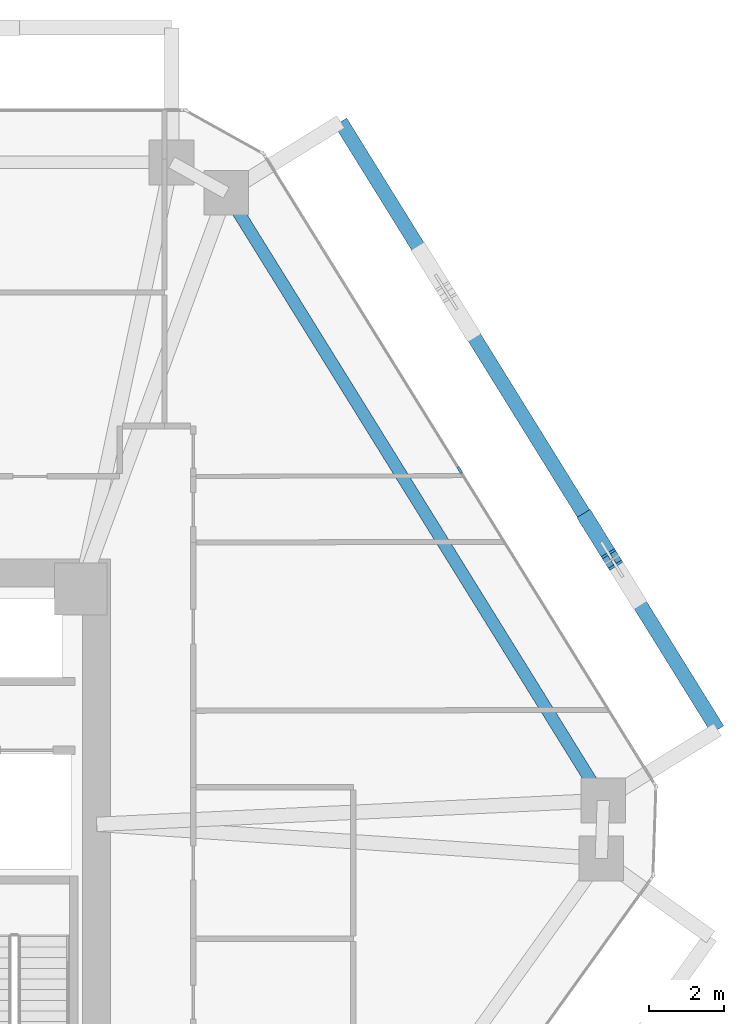
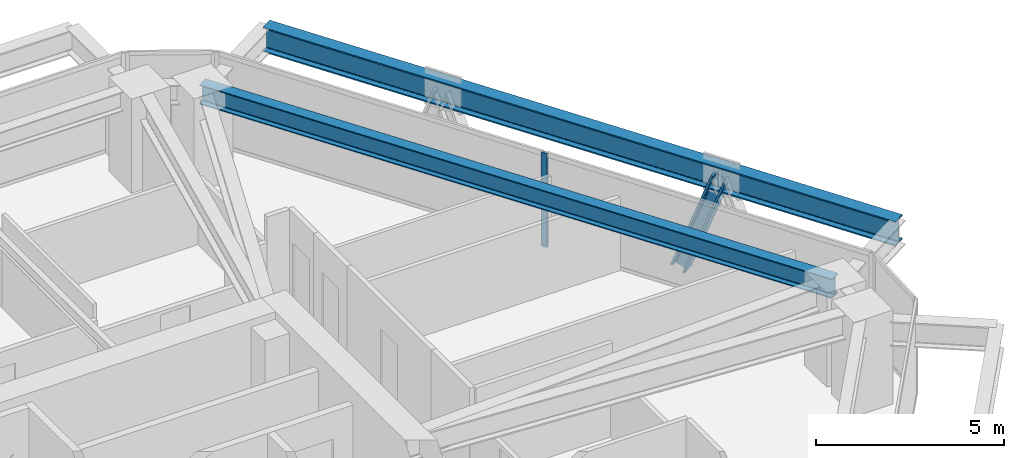
# One storey, part 6 of 16: 2 beams, 2 members, 1 element without a shape of its own.
"""IFC4 building model written with IfcOpenShell, lengths in metres."""

from ifc_helpers import new_model, si_unit, direction, frame, origin, origin_2d, place, context, subcontext, project, spatial, rectangle, i_section, extrude, source, transform, mapped, material, layer, layer_set, material_profile, profile_set, type_object, type_shapes, element, aggregate, save


model = new_model("IFC4")

# Units and contexts
model_context = context("Model", 3, precision=1e-05, world=origin(), true_north=direction((0.0, 1.0)))
body_context = subcontext(model_context, "Body", "Model", "MODEL_VIEW")
ifc_project = project(units=[si_unit("LENGTHUNIT", "METRE"), si_unit("AREAUNIT", "SQUARE_METRE"), si_unit("VOLUMEUNIT", "CUBIC_METRE"), si_unit("PLANEANGLEUNIT", "RADIAN"), si_unit("MASSUNIT", "GRAM", prefix="KILO")], contexts=[model_context])

# Site, building, storey
site_placement = place(None, origin())
site = spatial("IfcSite", under=ifc_project, at=site_placement, CompositionType="ELEMENT")
building_placement = place(site_placement, origin())
building = spatial("IfcBuilding", under=site, at=building_placement, Name="Durnholm Broadcast Tower", CompositionType="ELEMENT")
storey_placement = place(building_placement, frame((0.0, 0.0, 117.300048828125)))
storey = spatial("IfcBuildingStorey", under=building, at=storey_placement, Name="L31", CompositionType="ELEMENT", Elevation=117.300048828125)

# Beams
ifc_material_1 = material(Name="Steel ASTM A992 Grade 50", Category="steel")
ifc_material_profile_1 = material_profile(ifc_material_1, i_section(OverallWidth=0.3291015625, OverallDepth=0.635009765625, WebThickness=0.017822265625, FlangeThickness=0.031005859375, FilletRadius=0.02783203125, at=origin_2d()), Name="W24X162")
ifc_profile_set_1 = profile_set([ifc_material_profile_1], Name="Steel ASTM A992 Grade 50")
beam_type_1 = type_object("IfcBeamType", Name="STL-SP-W24X162", PredefinedType="SPANDREL", material=ifc_profile_set_1)
shared_shape_1 = source(origin(), body_context, "Body", "SweptSolid", [
    extrude(i_section(OverallWidth=0.3291015625, OverallDepth=0.635009765625, WebThickness=0.017822265625, FlangeThickness=0.031005859375, FilletRadius=0.02783203125, at=origin_2d()), origin(), (0.0, 0.0, 1.0), 19.139404296875),
])
type_shapes(beam_type_1, [shared_shape_1])
beam_1_placement = place(storey_placement, frame((13.692138671875, 18.4013671875, 2.7275390625), z_axis=(0.527111038734, -0.84979641847, 0.0), x_axis=(0.84979641847, 0.527111038734, 0.0)))
element("IfcBeam", 1, at=beam_1_placement, inside=storey, type_object=beam_type_1, Name="L31 perimeter spandrel girder 07", PredefinedType="SPANDREL", context=body_context, shape_type="MappedRepresentation", body=[
    mapped(shared_shape_1, transform((0.0, 0.0, 0.0), x_axis=(1.0, 0.0, 0.0), y_axis=(0.0, 1.0, 0.0), z_axis=(0.0, 0.0, 1.0), scale=1.0)),
])
ifc_material_profile_2 = material_profile(ifc_material_1, i_section(OverallWidth=0.385009765625, OverallDepth=0.802978515625, WebThickness=0.023681640625, FlangeThickness=0.0419921875, FilletRadius=0.032958984375, at=origin_2d()), Name="W30X261")
ifc_profile_set_2 = profile_set([ifc_material_profile_2], Name="Steel ASTM A992 Grade 50")
beam_type_2 = type_object("IfcBeamType", Name="BM-EXO-TIE", PredefinedType="USERDEFINED", material=ifc_profile_set_2)
shared_shape_2 = source(origin(), body_context, "Body", "SweptSolid", [
    extrude(i_section(OverallWidth=0.385009765625, OverallDepth=0.802978515625, WebThickness=0.023681640625, FlangeThickness=0.0419921875, FilletRadius=0.032958984375, at=origin_2d()), origin(), (0.0, 0.0, 1.0), 19.139404296875),
])
type_shapes(beam_type_2, [shared_shape_2])
beam_2_placement = place(storey_placement, frame((26.840087890625, 4.0341796875, 2.30859375), z_axis=(-0.527111038734, 0.84979641847, 0.0), x_axis=(-0.84979641847, -0.527111038734, 0.0)))
element("IfcBeam", 2, at=beam_2_placement, inside=storey, type_object=beam_type_2, Name="L31 exoskeleton collector spandrel F3", PredefinedType="SPANDREL", context=body_context, shape_type="MappedRepresentation", body=[
    mapped(shared_shape_2, transform((0.0, 0.0, 0.0), x_axis=(1.0, 0.0, 0.0), y_axis=(0.0, 1.0, 0.0), z_axis=(0.0, 0.0, 1.0), scale=1.0)),
])

# Member
ifc_material_2 = material(Name="Steel ASTM A913 Grade 65", Category="steel")
ifc_material_profile_3 = material_profile(ifc_material_2, i_section(OverallWidth=0.41845703125, OverallDepth=0.455078125, WebThickness=0.0419921875, FlangeThickness=0.067626953125, FilletRadius=0.030517578125, at=origin_2d()), Name="W14X370")
ifc_profile_set_3 = profile_set([ifc_material_profile_3], Name="Steel ASTM A913 Grade 65")
member_type_1 = type_object("IfcMemberType", Name="STL-DG-W14X370", PredefinedType="BRACE", material=ifc_profile_set_3)
shared_shape_3 = source(origin(), body_context, "Body", "SweptSolid", [
    extrude(i_section(OverallWidth=0.41845703125, OverallDepth=0.455078125, WebThickness=0.0419921875, FlangeThickness=0.067626953125, FilletRadius=0.030517578125, at=origin_2d()), origin(), (0.0, 0.0, 1.0), 3.523193359375),
])
type_shapes(member_type_1, [shared_shape_3])
member_1_placement = place(storey_placement, frame((23.36474609375, 9.63671875, -0.991455078125), z_axis=(0.184606642766, -0.297560406921, 0.936684681032), x_axis=(0.849750220063, 0.527185511469, 0.0)))
element("IfcMember", 3, at=member_1_placement, inside=storey, type_object=member_type_1, Name="L31 stand-off diagrid brace F3.D1.2", PredefinedType="BRACE", context=body_context, shape_type="MappedRepresentation", body=[
    mapped(shared_shape_3, transform((0.0, 0.0, 0.0), x_axis=(1.0, 0.0, 0.0), y_axis=(0.0, 1.0, 0.0), z_axis=(0.0, 0.0, 1.0), scale=1.0)),
])

# Curtain wall, member
ifc_material_3 = material(Name="Aluminium and Solar Control IGU", Category="aluminium")
ifc_layer = layer(ifc_material_3, 0.18994140625)
ifc_layer_set = layer_set([ifc_layer], Name="Aluminium and Solar Control IGU")
curtain_wall_type = type_object("IfcCurtainWallType", Name="CW-SYS-3", PredefinedType="NOTDEFINED", material=ifc_layer_set)
curtain_wall_placement = place(storey_placement, origin())
curtain_wall = element("IfcCurtainWall", 4, at=curtain_wall_placement, inside=storey, type_object=curtain_wall_type, Name="L31 curtain wall CW-Z12-VIS CW-L31-F06", PredefinedType="NOTDEFINED")
ifc_material_4 = material(Name="Aluminium 6063-T6", Category="aluminium")
ifc_material_profile_4 = material_profile(ifc_material_4, rectangle(XDim=0.070068359375, YDim=0.18994140625, at=origin_2d()), Name="CWM70X190")
ifc_profile_set_4 = profile_set([ifc_material_profile_4], Name="Aluminium 6063-T6")
member_type_2 = type_object("IfcMemberType", Name="CW-SYS-3-MUL", PredefinedType="MULLION", material=ifc_profile_set_4)
shared_shape_4 = source(origin(), body_context, "Body", "SweptSolid", [
    extrude(rectangle(XDim=0.070068359375, YDim=0.18994140625, at=origin_2d()), origin(), (0.0, 0.0, 1.0), 3.06005859375),
])
type_shapes(member_type_2, [shared_shape_4])
member_2_placement = place(storey_placement, frame((19.9423828125, 10.980712890625, 0.0), z_axis=(0.0, 0.0, 1.0), x_axis=(0.849799925229, 0.527105385176, 0.0)))
member_2 = element("IfcMember", 5, at=member_2_placement, type_object=member_type_2, Name="CW-Z12-VIS mullion 2", PredefinedType="MULLION", context=body_context, shape_type="MappedRepresentation", body=[
    mapped(shared_shape_4, transform((0.0, 0.0, 0.0), x_axis=(1.0, 0.0, 0.0), y_axis=(0.0, 1.0, 0.0), z_axis=(0.0, 0.0, 1.0), scale=1.0)),
])
aggregate(curtain_wall, [member_2])

save(model, "model.ifc")
